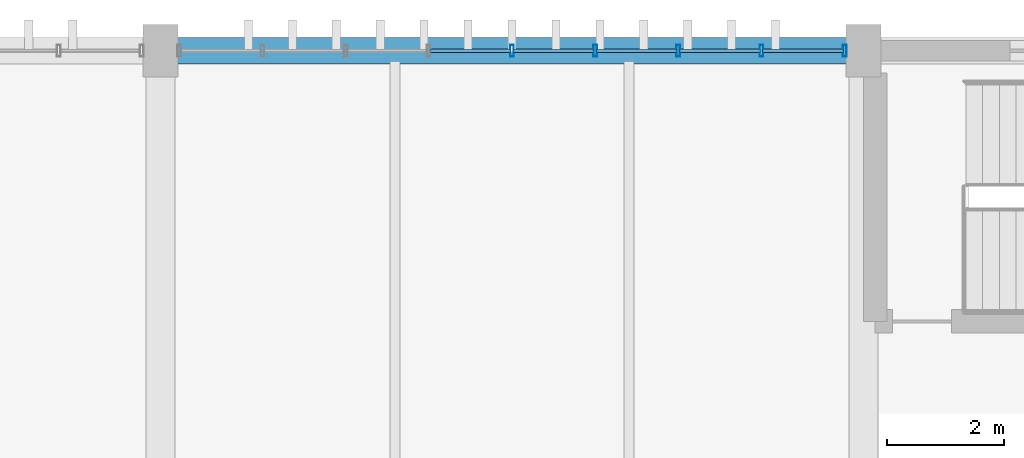
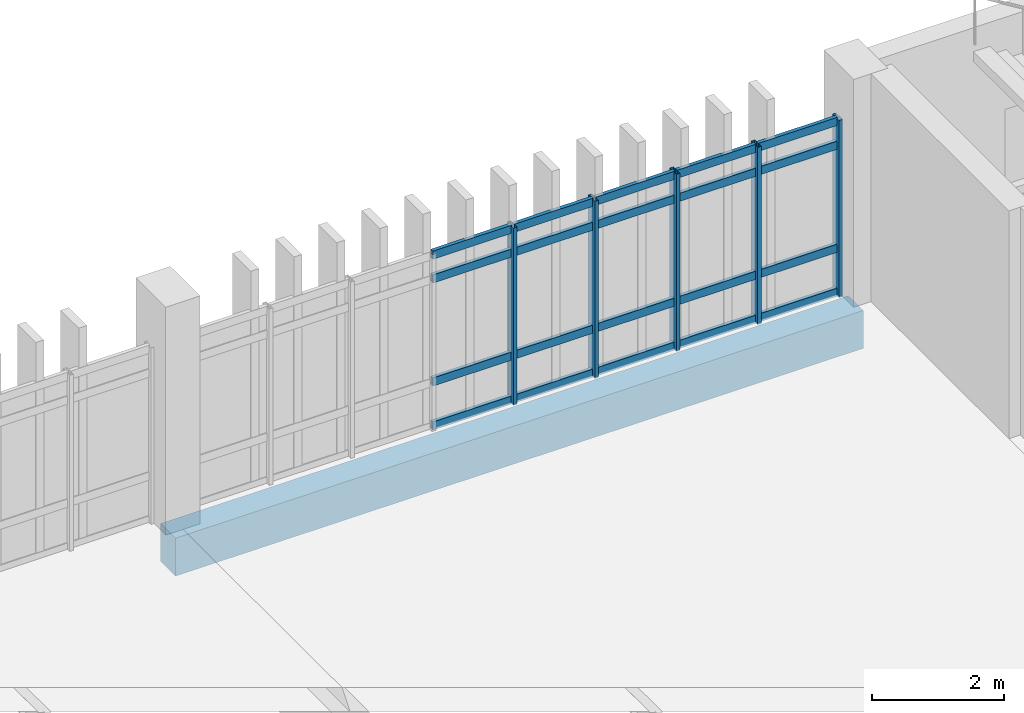
# One storey, part 74 of 161: 25 members, 1 beam, 1 element without a shape of its own.
"""IFC4 building model written with IfcOpenShell, lengths in metres."""

from ifc_helpers import new_model, si_unit, direction, frame, origin, origin_2d, place, context, subcontext, project, spatial, rectangle, hollow_rectangle, extrude, material, layer, layer_set, material_profile, profile_set, type_object, element, aggregate, save


model = new_model("IFC4")

# Units and contexts
model_context = context("Model", 3, precision=1e-05, world=origin(), true_north=direction((0.0, 1.0)))
body_context = subcontext(model_context, "Body", "Model", "MODEL_VIEW")
ifc_project = project(units=[si_unit("LENGTHUNIT", "METRE"), si_unit("AREAUNIT", "SQUARE_METRE"), si_unit("VOLUMEUNIT", "CUBIC_METRE"), si_unit("PLANEANGLEUNIT", "RADIAN"), si_unit("MASSUNIT", "GRAM", prefix="KILO")], contexts=[model_context])

# Site, building, storey
site_placement = place(None, origin())
site = spatial("IfcSite", under=ifc_project, at=site_placement, CompositionType="ELEMENT")
building_placement = place(site_placement, origin())
building = spatial("IfcBuilding", under=site, at=building_placement, Name="Mersad Railyard Sports Hall", CompositionType="ELEMENT")
storey_placement = place(building_placement, frame((0.0, 0.0, 4.800048828125)))
storey = spatial("IfcBuildingStorey", under=building, at=storey_placement, Name="L01", CompositionType="ELEMENT", Elevation=4.800048828125)

# Curtain wall, members
ifc_material_1 = material(Name="Aluminium 6063-T6", Category="aluminium")
ifc_layer = layer(ifc_material_1, 0.199951171875)
ifc_layer_set = layer_set([ifc_layer], Name="Aluminium 6063-T6")
curtain_wall_type = type_object("IfcCurtainWallType", Name="ARC-CW-CW34", PredefinedType="USERDEFINED", material=ifc_layer_set)
curtain_wall_placement = place(storey_placement, origin())
curtain_wall = element("IfcCurtainWall", 1, at=curtain_wall_placement, inside=storey, type_object=curtain_wall_type, Name="Curtain wall CW34-0096", ObjectType="CURTAIN WALL", PredefinedType="USERDEFINED")
ifc_material_profile_1 = material_profile(ifc_material_1, hollow_rectangle(XDim=0.06494140625, YDim=0.199951171875, WallThickness=0.0048828125, at=origin_2d()), Name="AL MULLION 65x200x5")
ifc_profile_set_1 = profile_set([ifc_material_profile_1], Name="Aluminium 6063-T6")
member_type_1 = type_object("IfcMemberType", Name="ARC-CW-MUL02", PredefinedType="MULLION", material=ifc_profile_set_1)
member_1_placement = place(storey_placement, frame((61.0, 115.0, -0.02001953125), z_axis=(0.0, 0.0, 1.0), x_axis=(1.0, 0.0, 0.0)))
member_1 = element("IfcMember", 2, at=member_1_placement, type_object=member_type_1, Name="CW34 Mullion 5", PredefinedType="MULLION", context=body_context, shape_type="SweptSolid", body=[
    extrude(hollow_rectangle(XDim=0.06494140625, YDim=0.199951171875, WallThickness=0.0048828125, at=origin_2d()), origin(), (0.0, 0.0, 1.0), 3.27001953125),
])
member_2_placement = place(storey_placement, frame((62.419921875, 115.0, -0.02001953125), z_axis=(0.0, 0.0, 1.0), x_axis=(1.0, 0.0, 0.0)))
member_2 = element("IfcMember", 3, at=member_2_placement, type_object=member_type_1, Name="CW34 Mullion 6", PredefinedType="MULLION", context=body_context, shape_type="SweptSolid", body=[
    extrude(hollow_rectangle(XDim=0.06494140625, YDim=0.199951171875, WallThickness=0.0048828125, at=origin_2d()), origin(), (0.0, 0.0, 1.0), 3.27001953125),
])
member_3_placement = place(storey_placement, frame((63.840087890625, 115.0, -0.02001953125), z_axis=(0.0, 0.0, 1.0), x_axis=(1.0, 0.0, 0.0)))
member_3 = element("IfcMember", 4, at=member_3_placement, type_object=member_type_1, Name="CW34 Mullion 7", PredefinedType="MULLION", context=body_context, shape_type="SweptSolid", body=[
    extrude(hollow_rectangle(XDim=0.06494140625, YDim=0.199951171875, WallThickness=0.0048828125, at=origin_2d()), origin(), (0.0, 0.0, 1.0), 3.27001953125),
])
member_4_placement = place(storey_placement, frame((65.260009765625, 115.0, -0.02001953125), z_axis=(0.0, 0.0, 1.0), x_axis=(1.0, 0.0, 0.0)))
member_4 = element("IfcMember", 5, at=member_4_placement, type_object=member_type_1, Name="CW34 Mullion 8", PredefinedType="MULLION", context=body_context, shape_type="SweptSolid", body=[
    extrude(hollow_rectangle(XDim=0.06494140625, YDim=0.199951171875, WallThickness=0.0048828125, at=origin_2d()), origin(), (0.0, 0.0, 1.0), 3.27001953125),
])
member_5_placement = place(storey_placement, frame((66.679931640625, 115.0, -0.02001953125), z_axis=(0.0, 0.0, 1.0), x_axis=(1.0, 0.0, 0.0)))
member_5 = element("IfcMember", 6, at=member_5_placement, type_object=member_type_1, Name="CW34 Mullion 9", PredefinedType="MULLION", context=body_context, shape_type="SweptSolid", body=[
    extrude(hollow_rectangle(XDim=0.06494140625, YDim=0.199951171875, WallThickness=0.0048828125, at=origin_2d()), origin(), (0.0, 0.0, 1.0), 3.27001953125),
])
ifc_material_profile_2 = material_profile(ifc_material_1, hollow_rectangle(XDim=0.06494140625, YDim=0.14990234375, WallThickness=0.00439453125, at=origin_2d()), Name="AL TRANSOM 65x150x4.5")
ifc_profile_set_2 = profile_set([ifc_material_profile_2], Name="Aluminium 6063-T6")
member_type_2 = type_object("IfcMemberType", Name="ARC-CW-TRN02", PredefinedType="USERDEFINED", material=ifc_profile_set_2)
member_6_placement = place(storey_placement, frame((59.60009765625, 115.0, 0.0400390625), z_axis=(1.0, 0.0, 0.0), x_axis=(0.0, 1.0, 0.0)))
member_6 = element("IfcMember", 7, at=member_6_placement, type_object=member_type_2, Name="CW34 Transom 1-4", ObjectType="TRANSOM", PredefinedType="USERDEFINED", context=body_context, shape_type="SweptSolid", body=[
    extrude(hollow_rectangle(XDim=0.06494140625, YDim=0.14990234375, WallThickness=0.00439453125, at=origin_2d()), origin(), (0.0, 0.0, 1.0), 1.3798828125),
])
member_7_placement = place(storey_placement, frame((61.02001953125, 115.0, 0.0400390625), z_axis=(1.0, 0.0, 0.0), x_axis=(0.0, 1.0, 0.0)))
member_7 = element("IfcMember", 8, at=member_7_placement, type_object=member_type_2, Name="CW34 Transom 1-5", ObjectType="TRANSOM", PredefinedType="USERDEFINED", context=body_context, shape_type="SweptSolid", body=[
    extrude(hollow_rectangle(XDim=0.06494140625, YDim=0.14990234375, WallThickness=0.00439453125, at=origin_2d()), origin(), (0.0, 0.0, 1.0), 1.3798828125),
])
member_8_placement = place(storey_placement, frame((62.43994140625, 115.0, 0.0400390625), z_axis=(1.0, 0.0, 0.0), x_axis=(0.0, 1.0, 0.0)))
member_8 = element("IfcMember", 9, at=member_8_placement, type_object=member_type_2, Name="CW34 Transom 1-6", ObjectType="TRANSOM", PredefinedType="USERDEFINED", context=body_context, shape_type="SweptSolid", body=[
    extrude(hollow_rectangle(XDim=0.06494140625, YDim=0.14990234375, WallThickness=0.00439453125, at=origin_2d()), origin(), (0.0, 0.0, 1.0), 1.380126953125),
])
member_9_placement = place(storey_placement, frame((63.860107421875, 115.0, 0.0400390625), z_axis=(1.0, 0.0, 0.0), x_axis=(0.0, 1.0, 0.0)))
member_9 = element("IfcMember", 10, at=member_9_placement, type_object=member_type_2, Name="CW34 Transom 1-7", ObjectType="TRANSOM", PredefinedType="USERDEFINED", context=body_context, shape_type="SweptSolid", body=[
    extrude(hollow_rectangle(XDim=0.06494140625, YDim=0.14990234375, WallThickness=0.00439453125, at=origin_2d()), origin(), (0.0, 0.0, 1.0), 1.3798828125),
])
member_10_placement = place(storey_placement, frame((65.280029296875, 115.0, 0.0400390625), z_axis=(1.0, 0.0, 0.0), x_axis=(0.0, 1.0, 0.0)))
member_10 = element("IfcMember", 11, at=member_10_placement, type_object=member_type_2, Name="CW34 Transom 1-8", ObjectType="TRANSOM", PredefinedType="USERDEFINED", context=body_context, shape_type="SweptSolid", body=[
    extrude(hollow_rectangle(XDim=0.06494140625, YDim=0.14990234375, WallThickness=0.00439453125, at=origin_2d()), origin(), (0.0, 0.0, 1.0), 1.3798828125),
])
member_11_placement = place(storey_placement, frame((59.60009765625, 115.0, 0.849853515625), z_axis=(1.0, 0.0, 0.0), x_axis=(0.0, 1.0, 0.0)))
member_11 = element("IfcMember", 12, at=member_11_placement, type_object=member_type_2, Name="CW34 Transom 2-4", ObjectType="TRANSOM", PredefinedType="USERDEFINED", context=body_context, shape_type="SweptSolid", body=[
    extrude(hollow_rectangle(XDim=0.06494140625, YDim=0.14990234375, WallThickness=0.00439453125, at=origin_2d()), origin(), (0.0, 0.0, 1.0), 1.3798828125),
])
member_12_placement = place(storey_placement, frame((61.02001953125, 115.0, 0.849853515625), z_axis=(1.0, 0.0, 0.0), x_axis=(0.0, 1.0, 0.0)))
member_12 = element("IfcMember", 13, at=member_12_placement, type_object=member_type_2, Name="CW34 Transom 2-5", ObjectType="TRANSOM", PredefinedType="USERDEFINED", context=body_context, shape_type="SweptSolid", body=[
    extrude(hollow_rectangle(XDim=0.06494140625, YDim=0.14990234375, WallThickness=0.00439453125, at=origin_2d()), origin(), (0.0, 0.0, 1.0), 1.3798828125),
])
member_13_placement = place(storey_placement, frame((62.43994140625, 115.0, 0.849853515625), z_axis=(1.0, 0.0, 0.0), x_axis=(0.0, 1.0, 0.0)))
member_13 = element("IfcMember", 14, at=member_13_placement, type_object=member_type_2, Name="CW34 Transom 2-6", ObjectType="TRANSOM", PredefinedType="USERDEFINED", context=body_context, shape_type="SweptSolid", body=[
    extrude(hollow_rectangle(XDim=0.06494140625, YDim=0.14990234375, WallThickness=0.00439453125, at=origin_2d()), origin(), (0.0, 0.0, 1.0), 1.380126953125),
])
member_14_placement = place(storey_placement, frame((63.860107421875, 115.0, 0.849853515625), z_axis=(1.0, 0.0, 0.0), x_axis=(0.0, 1.0, 0.0)))
member_14 = element("IfcMember", 15, at=member_14_placement, type_object=member_type_2, Name="CW34 Transom 2-7", ObjectType="TRANSOM", PredefinedType="USERDEFINED", context=body_context, shape_type="SweptSolid", body=[
    extrude(hollow_rectangle(XDim=0.06494140625, YDim=0.14990234375, WallThickness=0.00439453125, at=origin_2d()), origin(), (0.0, 0.0, 1.0), 1.3798828125),
])
member_15_placement = place(storey_placement, frame((65.280029296875, 115.0, 0.849853515625), z_axis=(1.0, 0.0, 0.0), x_axis=(0.0, 1.0, 0.0)))
member_15 = element("IfcMember", 16, at=member_15_placement, type_object=member_type_2, Name="CW34 Transom 2-8", ObjectType="TRANSOM", PredefinedType="USERDEFINED", context=body_context, shape_type="SweptSolid", body=[
    extrude(hollow_rectangle(XDim=0.06494140625, YDim=0.14990234375, WallThickness=0.00439453125, at=origin_2d()), origin(), (0.0, 0.0, 1.0), 1.3798828125),
])
member_16_placement = place(storey_placement, frame((59.60009765625, 115.0, 2.75), z_axis=(1.0, 0.0, 0.0), x_axis=(0.0, 1.0, 0.0)))
member_16 = element("IfcMember", 17, at=member_16_placement, type_object=member_type_2, Name="CW34 Transom 3-4", ObjectType="TRANSOM", PredefinedType="USERDEFINED", context=body_context, shape_type="SweptSolid", body=[
    extrude(hollow_rectangle(XDim=0.06494140625, YDim=0.14990234375, WallThickness=0.00439453125, at=origin_2d()), origin(), (0.0, 0.0, 1.0), 1.3798828125),
])
member_17_placement = place(storey_placement, frame((61.02001953125, 115.0, 2.75), z_axis=(1.0, 0.0, 0.0), x_axis=(0.0, 1.0, 0.0)))
member_17 = element("IfcMember", 18, at=member_17_placement, type_object=member_type_2, Name="CW34 Transom 3-5", ObjectType="TRANSOM", PredefinedType="USERDEFINED", context=body_context, shape_type="SweptSolid", body=[
    extrude(hollow_rectangle(XDim=0.06494140625, YDim=0.14990234375, WallThickness=0.00439453125, at=origin_2d()), origin(), (0.0, 0.0, 1.0), 1.3798828125),
])
member_18_placement = place(storey_placement, frame((62.43994140625, 115.0, 2.75), z_axis=(1.0, 0.0, 0.0), x_axis=(0.0, 1.0, 0.0)))
member_18 = element("IfcMember", 19, at=member_18_placement, type_object=member_type_2, Name="CW34 Transom 3-6", ObjectType="TRANSOM", PredefinedType="USERDEFINED", context=body_context, shape_type="SweptSolid", body=[
    extrude(hollow_rectangle(XDim=0.06494140625, YDim=0.14990234375, WallThickness=0.00439453125, at=origin_2d()), origin(), (0.0, 0.0, 1.0), 1.380126953125),
])
member_19_placement = place(storey_placement, frame((63.860107421875, 115.0, 2.75), z_axis=(1.0, 0.0, 0.0), x_axis=(0.0, 1.0, 0.0)))
member_19 = element("IfcMember", 20, at=member_19_placement, type_object=member_type_2, Name="CW34 Transom 3-7", ObjectType="TRANSOM", PredefinedType="USERDEFINED", context=body_context, shape_type="SweptSolid", body=[
    extrude(hollow_rectangle(XDim=0.06494140625, YDim=0.14990234375, WallThickness=0.00439453125, at=origin_2d()), origin(), (0.0, 0.0, 1.0), 1.3798828125),
])
member_20_placement = place(storey_placement, frame((65.280029296875, 115.0, 2.75), z_axis=(1.0, 0.0, 0.0), x_axis=(0.0, 1.0, 0.0)))
member_20 = element("IfcMember", 21, at=member_20_placement, type_object=member_type_2, Name="CW34 Transom 3-8", ObjectType="TRANSOM", PredefinedType="USERDEFINED", context=body_context, shape_type="SweptSolid", body=[
    extrude(hollow_rectangle(XDim=0.06494140625, YDim=0.14990234375, WallThickness=0.00439453125, at=origin_2d()), origin(), (0.0, 0.0, 1.0), 1.3798828125),
])
member_21_placement = place(storey_placement, frame((59.60009765625, 115.0, 3.18994140625), z_axis=(1.0, 0.0, 0.0), x_axis=(0.0, 1.0, 0.0)))
member_21 = element("IfcMember", 22, at=member_21_placement, type_object=member_type_2, Name="CW34 Transom 4-4", ObjectType="TRANSOM", PredefinedType="USERDEFINED", context=body_context, shape_type="SweptSolid", body=[
    extrude(hollow_rectangle(XDim=0.06494140625, YDim=0.14990234375, WallThickness=0.00439453125, at=origin_2d()), origin(), (0.0, 0.0, 1.0), 1.3798828125),
])
member_22_placement = place(storey_placement, frame((61.02001953125, 115.0, 3.18994140625), z_axis=(1.0, 0.0, 0.0), x_axis=(0.0, 1.0, 0.0)))
member_22 = element("IfcMember", 23, at=member_22_placement, type_object=member_type_2, Name="CW34 Transom 4-5", ObjectType="TRANSOM", PredefinedType="USERDEFINED", context=body_context, shape_type="SweptSolid", body=[
    extrude(hollow_rectangle(XDim=0.06494140625, YDim=0.14990234375, WallThickness=0.00439453125, at=origin_2d()), origin(), (0.0, 0.0, 1.0), 1.3798828125),
])
member_23_placement = place(storey_placement, frame((62.43994140625, 115.0, 3.18994140625), z_axis=(1.0, 0.0, 0.0), x_axis=(0.0, 1.0, 0.0)))
member_23 = element("IfcMember", 24, at=member_23_placement, type_object=member_type_2, Name="CW34 Transom 4-6", ObjectType="TRANSOM", PredefinedType="USERDEFINED", context=body_context, shape_type="SweptSolid", body=[
    extrude(hollow_rectangle(XDim=0.06494140625, YDim=0.14990234375, WallThickness=0.00439453125, at=origin_2d()), origin(), (0.0, 0.0, 1.0), 1.380126953125),
])
member_24_placement = place(storey_placement, frame((63.860107421875, 115.0, 3.18994140625), z_axis=(1.0, 0.0, 0.0), x_axis=(0.0, 1.0, 0.0)))
member_24 = element("IfcMember", 25, at=member_24_placement, type_object=member_type_2, Name="CW34 Transom 4-7", ObjectType="TRANSOM", PredefinedType="USERDEFINED", context=body_context, shape_type="SweptSolid", body=[
    extrude(hollow_rectangle(XDim=0.06494140625, YDim=0.14990234375, WallThickness=0.00439453125, at=origin_2d()), origin(), (0.0, 0.0, 1.0), 1.3798828125),
])
member_25_placement = place(storey_placement, frame((65.280029296875, 115.0, 3.18994140625), z_axis=(1.0, 0.0, 0.0), x_axis=(0.0, 1.0, 0.0)))
member_25 = element("IfcMember", 26, at=member_25_placement, type_object=member_type_2, Name="CW34 Transom 4-8", ObjectType="TRANSOM", PredefinedType="USERDEFINED", context=body_context, shape_type="SweptSolid", body=[
    extrude(hollow_rectangle(XDim=0.06494140625, YDim=0.14990234375, WallThickness=0.00439453125, at=origin_2d()), origin(), (0.0, 0.0, 1.0), 1.3798828125),
])
aggregate(curtain_wall, [member_1, member_2, member_3, member_4, member_5, member_6, member_7, member_8, member_9, member_10, member_11, member_12, member_13, member_14, member_15, member_16, member_17, member_18, member_19, member_20, member_21, member_22, member_23, member_24, member_25])

# Beam
ifc_material_2 = material(Name="Architectural concrete C40/50", Category="concrete")
ifc_material_profile_3 = material_profile(ifc_material_2, rectangle(XDim=0.449951171875, YDim=0.699951171875, at=origin_2d()), Name="RC 450x700")
ifc_profile_set_3 = profile_set([ifc_material_profile_3], Name="Architectural concrete C40/50")
beam_type = type_object("IfcBeamType", Name="STR-BM-SP01", PredefinedType="SPANDREL", material=ifc_profile_set_3)
beam_placement = place(storey_placement, frame((55.0, 115.0, -0.650146484375), z_axis=(1.0, 0.0, 0.0), x_axis=(0.0, 1.0, 0.0)))
element("IfcBeam", 27, at=beam_placement, inside=storey, type_object=beam_type, Name="Beam SP01-0949", PredefinedType="SPANDREL", context=body_context, shape_type="SweptSolid", body=[
    extrude(rectangle(XDim=0.449951171875, YDim=0.699951171875, at=origin_2d()), origin(), (0.0, 0.0, 1.0), 12.0),
])

save(model, "model.ifc")
